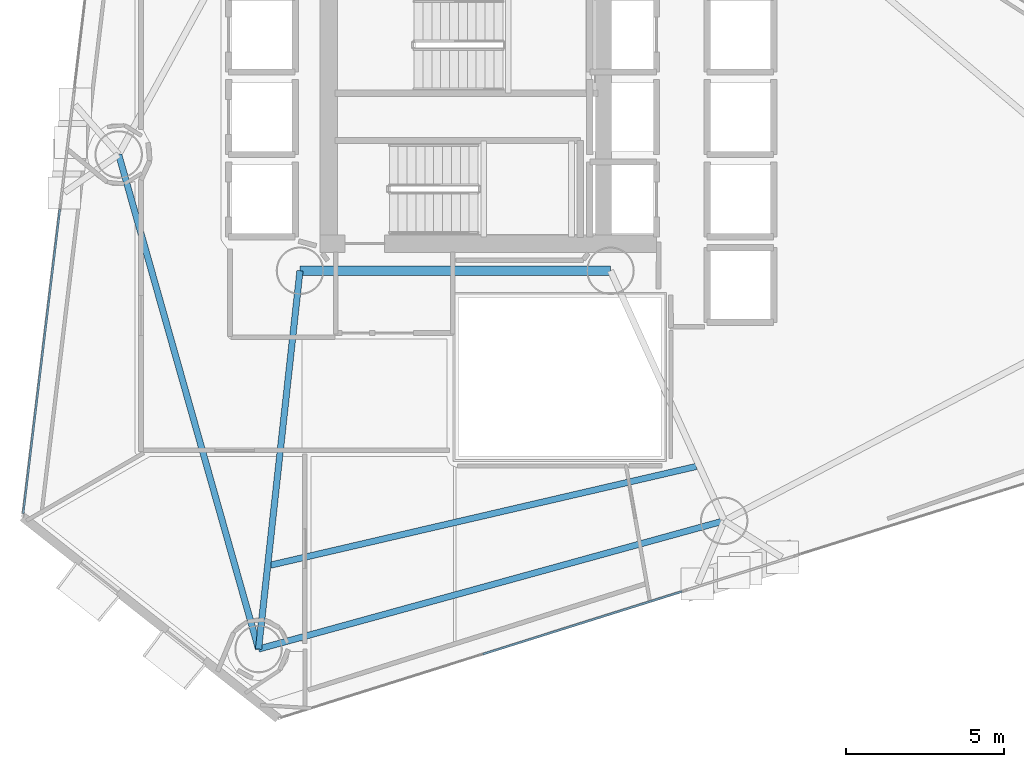
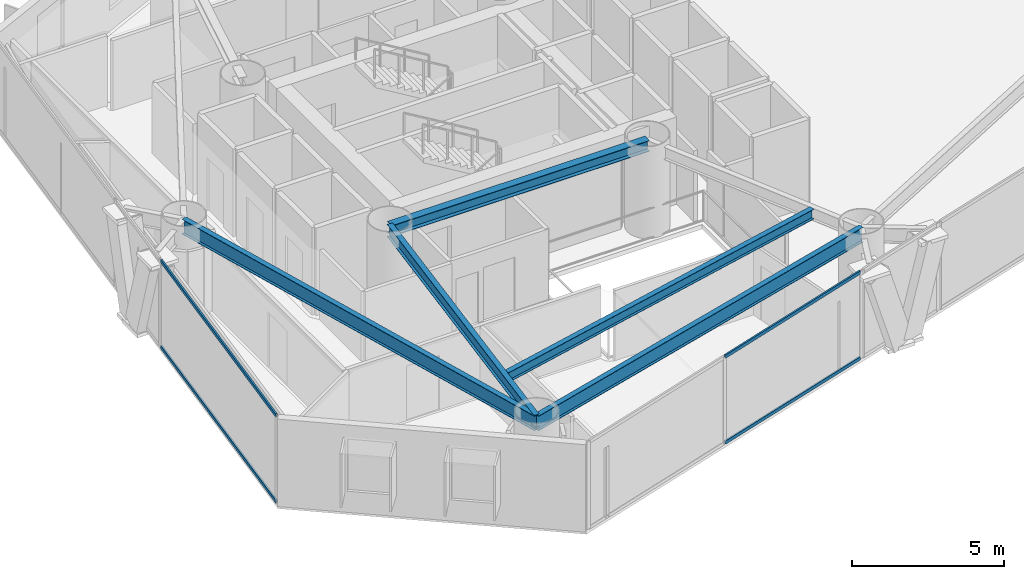
# One storey, part 3 of 18: 5 beams, 4 members, 2 elements without a shape of their own.
"""IFC4 building model written with IfcOpenShell, lengths in metres."""

from ifc_helpers import new_model, si_unit, direction, frame, origin, origin_2d, place, context, subcontext, project, spatial, hollow_rectangle, i_section, extrude, material, layer, layer_set, material_profile, profile_set, type_object, element, aggregate, save


model = new_model("IFC4")

# Units and contexts
model_context = context("Model", 3, precision=1e-05, world=origin(), true_north=direction((0.0, 1.0)))
body_context = subcontext(model_context, "Body", "Model", "MODEL_VIEW")
ifc_project = project(units=[si_unit("LENGTHUNIT", "METRE"), si_unit("AREAUNIT", "SQUARE_METRE"), si_unit("VOLUMEUNIT", "CUBIC_METRE"), si_unit("PLANEANGLEUNIT", "RADIAN"), si_unit("MASSUNIT", "GRAM", prefix="KILO")], contexts=[model_context])

# Site, building, storey
site_placement = place(None, origin())
site = spatial("IfcSite", under=ifc_project, at=site_placement, CompositionType="ELEMENT")
building_placement = place(site_placement, origin())
building = spatial("IfcBuilding", under=site, at=building_placement, Name="Qianvela Tower", CompositionType="ELEMENT")
storey_placement = place(building_placement, frame((0.0, 0.0, 116.300048828125)))
storey = spatial("IfcBuildingStorey", under=building, at=storey_placement, Name="L29", CompositionType="ELEMENT", Elevation=116.300048828125)

# Beams
ifc_material_1 = material(Name="Steel Q355B", Category="steel")
ifc_material_profile_1 = material_profile(ifc_material_1, i_section(OverallWidth=0.300048828125, OverallDepth=0.43994140625, WebThickness=0.010986328125, FlangeThickness=0.01806640625, at=origin_2d()), Name="HM440x300x11x18")
ifc_profile_set_1 = profile_set([ifc_material_profile_1], Name="Steel Q355B")
beam_type_1 = type_object("IfcBeamType", Name="BM-HM440-COLL", PredefinedType="BEAM", material=ifc_profile_set_1)
beam_1_placement = place(storey_placement, frame((28.60009765625, 23.85009765625, 3.2978515625), z_axis=(1.0, 0.0, 0.0), x_axis=(0.0, 1.0, 0.0)))
element("IfcBeam", 1, at=beam_1_placement, inside=storey, type_object=beam_type_1, Name="L29 Core Ring Collector Girder CC1", PredefinedType="BEAM", context=body_context, shape_type="SweptSolid", body=[
    extrude(i_section(OverallWidth=0.300048828125, OverallDepth=0.43994140625, WebThickness=0.010986328125, FlangeThickness=0.01806640625, at=origin_2d()), origin(), (0.0, 0.0, 1.0), 9.7998046875),
])
ifc_material_2 = material(Name="Steel Q355B", Category="steel")
ifc_material_profile_2 = material_profile(ifc_material_2, i_section(OverallWidth=0.199951171875, OverallDepth=0.39990234375, WebThickness=0.008056640625, FlangeThickness=0.012939453125, at=origin_2d()), Name="HN400x200x8x13")
ifc_profile_set_2 = profile_set([ifc_material_profile_2], Name="Steel Q355B")
beam_type_2 = type_object("IfcBeamType", Name="BM-HN400-JOIST", PredefinedType="JOIST", material=ifc_profile_set_2)
beam_2_placement = place(storey_placement, frame((27.67333984375, 14.5576171875, 3.31787109375), z_axis=(0.974157898668, 0.225868077567, 0.0), x_axis=(-0.225868077567, 0.974157898668, 0.0)))
element("IfcBeam", 2, at=beam_2_placement, inside=storey, type_object=beam_type_2, Name="L29 Secondary Composite Floor Joist 5.3", PredefinedType="JOIST", context=body_context, shape_type="SweptSolid", body=[
    extrude(i_section(OverallWidth=0.199951171875, OverallDepth=0.39990234375, WebThickness=0.008056640625, FlangeThickness=0.012939453125, at=origin_2d()), origin(), (0.0, 0.0, 1.0), 13.787841796875),
])
ifc_material_3 = material(Name="Steel Q355B", Category="steel")
ifc_material_profile_3 = material_profile(ifc_material_3, i_section(OverallWidth=0.199951171875, OverallDepth=0.5, WebThickness=0.010009765625, FlangeThickness=0.01611328125, at=origin_2d()), Name="HN500x200x10x16")
ifc_profile_set_3 = profile_set([ifc_material_profile_3], Name="Steel Q355B")
beam_type_3 = type_object("IfcBeamType", Name="BM-HN500-GIRD", PredefinedType="BEAM", material=ifc_profile_set_3)
beam_3_placement = place(storey_placement, frame((28.60009765625, 23.85009765625, 3.26806640625), z_axis=(-0.108894474914, -0.994053315136, 0.0), x_axis=(0.994053315136, -0.108894474914, 0.0)))
element("IfcBeam", 3, at=beam_3_placement, inside=storey, type_object=beam_type_3, Name="L29 Radial Primary Floor Girder 5", PredefinedType="BEAM", context=body_context, shape_type="SweptSolid", body=[
    extrude(i_section(OverallWidth=0.199951171875, OverallDepth=0.5, WebThickness=0.010009765625, FlangeThickness=0.01611328125, at=origin_2d()), origin(), (0.0, 0.0, 1.0), 12.0126953125),
])
ifc_material_4 = material(Name="Steel Q355B", Category="steel")
ifc_material_profile_4 = material_profile(ifc_material_4, i_section(OverallWidth=0.199951171875, OverallDepth=0.60009765625, WebThickness=0.010986328125, FlangeThickness=0.01708984375, at=origin_2d()), Name="HN600x200x11x17")
ifc_profile_set_4 = profile_set([ifc_material_profile_4], Name="Steel Q355B")
beam_type_4 = type_object("IfcBeamType", Name="BM-HN600-GIRD", PredefinedType="BEAM", material=ifc_profile_set_4)
beam_4_placement = place(storey_placement, frame((22.8779296875, 27.51611328125, 3.218017578125), z_axis=(0.272147602289, -0.962255518336, 0.0), x_axis=(0.962255518336, 0.272147602289, 0.0)))
element("IfcBeam", 4, at=beam_4_placement, inside=storey, type_object=beam_type_4, Name="L29 Perimeter Ring Spandrel Girder 4", PredefinedType="BEAM", context=body_context, shape_type="SweptSolid", body=[
    extrude(i_section(OverallWidth=0.199951171875, OverallDepth=0.60009765625, WebThickness=0.010986328125, FlangeThickness=0.01708984375, at=origin_2d()), origin(), (0.0, 0.0, 1.0), 16.219482421875),
])
beam_5_placement = place(storey_placement, frame((27.2919921875, 11.908935546875, 3.218017578125), z_axis=(0.964093212083, 0.265564075912, 0.0), x_axis=(-0.265564075912, 0.964093212083, 0.0)))
element("IfcBeam", 5, at=beam_5_placement, inside=storey, type_object=beam_type_4, Name="L29 Perimeter Ring Spandrel Girder 5", PredefinedType="BEAM", context=body_context, shape_type="SweptSolid", body=[
    extrude(i_section(OverallWidth=0.199951171875, OverallDepth=0.60009765625, WebThickness=0.010986328125, FlangeThickness=0.01708984375, at=origin_2d()), origin(), (0.0, 0.0, 1.0), 15.243408203125),
])

# Curtain wall, members
ifc_material_5 = material(Name="Anodised Architectural Aluminium and Low-E Glass", Category="aluminium")
ifc_layer = layer(ifc_material_5, 0.169921875)
ifc_layer_set = layer_set([ifc_layer], Name="Anodised Architectural Aluminium and Low-E Glass")
curtain_wall_type = type_object("IfcCurtainWallType", Name="CW-COLIV-Z34", PredefinedType="USERDEFINED", material=ifc_layer_set)
curtain_wall_1_placement = place(storey_placement, origin())
curtain_wall_1 = element("IfcCurtainWall", 6, at=curtain_wall_1_placement, inside=storey, type_object=curtain_wall_type, Name="L29 CW-COLIV-Z34 Curtain Wall 04C", ObjectType="CURTAIN_WALL_SYSTEM", PredefinedType="USERDEFINED")
ifc_material_6 = material(Name="Anodised Architectural Aluminium 6063-T6", Category="aluminium")
ifc_material_profile_5 = material_profile(ifc_material_6, hollow_rectangle(XDim=0.06494140625, YDim=0.1298828125, WallThickness=0.00439453125, at=origin_2d()), Name="ALU-TRAN-65x130")
ifc_profile_set_5 = profile_set([ifc_material_profile_5], Name="Anodised Architectural Aluminium 6063-T6")
member_type = type_object("IfcMemberType", Name="CW-COLIV-Z34-TRAN", PredefinedType="USERDEFINED", material=ifc_profile_set_5)
member_1_placement = place(storey_placement, frame((21.021728515625, 25.7841796875, 0.032470703125), z_axis=(-0.119776797426, -0.992800845486, 0.0), x_axis=(0.992800845486, -0.119776797426, 0.0)))
member_1 = element("IfcMember", 7, at=member_1_placement, type_object=member_type, Name="CW-4 transom 1.1", ObjectType="TRANSOM", PredefinedType="USERDEFINED", context=body_context, shape_type="SweptSolid", body=[
    extrude(hollow_rectangle(XDim=0.06494140625, YDim=0.1298828125, WallThickness=0.00439453125, at=origin_2d()), origin(), (0.0, 0.0, 1.0), 9.66357421875),
])
member_2_placement = place(storey_placement, frame((21.021728515625, 25.7841796875, 3.487548828125), z_axis=(-0.119776797426, -0.992800845486, 0.0), x_axis=(0.992800845486, -0.119776797426, 0.0)))
member_2 = element("IfcMember", 8, at=member_2_placement, type_object=member_type, Name="CW-4 transom 1.2", ObjectType="TRANSOM", PredefinedType="USERDEFINED", context=body_context, shape_type="SweptSolid", body=[
    extrude(hollow_rectangle(XDim=0.06494140625, YDim=0.1298828125, WallThickness=0.00439453125, at=origin_2d()), origin(), (0.0, 0.0, 1.0), 9.66357421875),
])
aggregate(curtain_wall_1, [member_1, member_2])

curtain_wall_2_placement = place(storey_placement, origin())
curtain_wall_2 = element("IfcCurtainWall", 9, at=curtain_wall_2_placement, inside=storey, type_object=curtain_wall_type, Name="L29 CW-COLIV-Z34 Curtain Wall 06A", ObjectType="CURTAIN_WALL_SYSTEM", PredefinedType="USERDEFINED")
member_3_placement = place(storey_placement, frame((34.36865234375, 11.747802734375, 0.032470703125), z_axis=(0.95385672031, 0.300262147329, 0.0), x_axis=(-0.300262147329, 0.95385672031, 0.0)))
member_3 = element("IfcMember", 10, at=member_3_placement, type_object=member_type, Name="CW-4 transom 2.1", ObjectType="TRANSOM", PredefinedType="USERDEFINED", context=body_context, shape_type="SweptSolid", body=[
    extrude(hollow_rectangle(XDim=0.06494140625, YDim=0.1298828125, WallThickness=0.00439453125, at=origin_2d()), origin(), (0.0, 0.0, 1.0), 6.587646484375),
])
member_4_placement = place(storey_placement, frame((34.36865234375, 11.747802734375, 3.487548828125), z_axis=(0.95385672031, 0.300262147329, 0.0), x_axis=(-0.300262147329, 0.95385672031, 0.0)))
member_4 = element("IfcMember", 11, at=member_4_placement, type_object=member_type, Name="CW-4 transom 2.2", ObjectType="TRANSOM", PredefinedType="USERDEFINED", context=body_context, shape_type="SweptSolid", body=[
    extrude(hollow_rectangle(XDim=0.06494140625, YDim=0.1298828125, WallThickness=0.00439453125, at=origin_2d()), origin(), (0.0, 0.0, 1.0), 6.587646484375),
])
aggregate(curtain_wall_2, [member_3, member_4])

save(model, "model.ifc")
